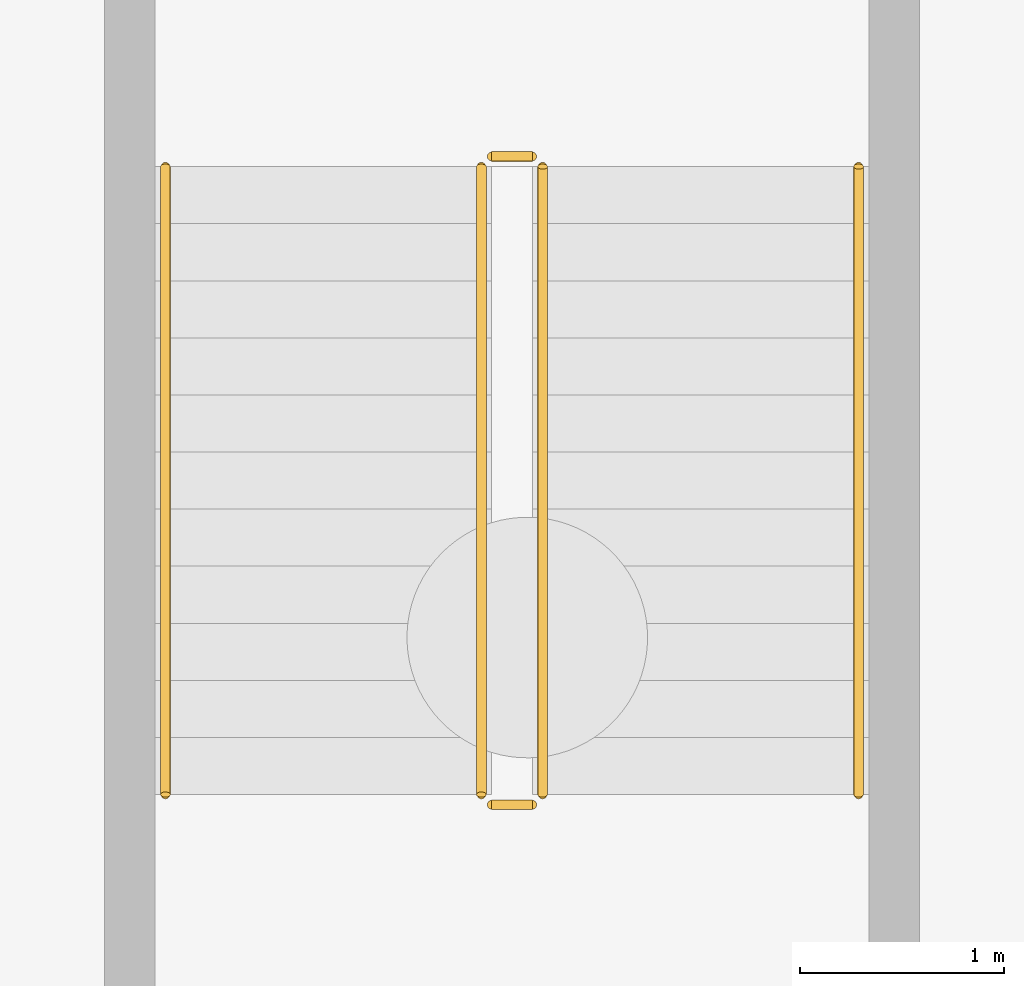
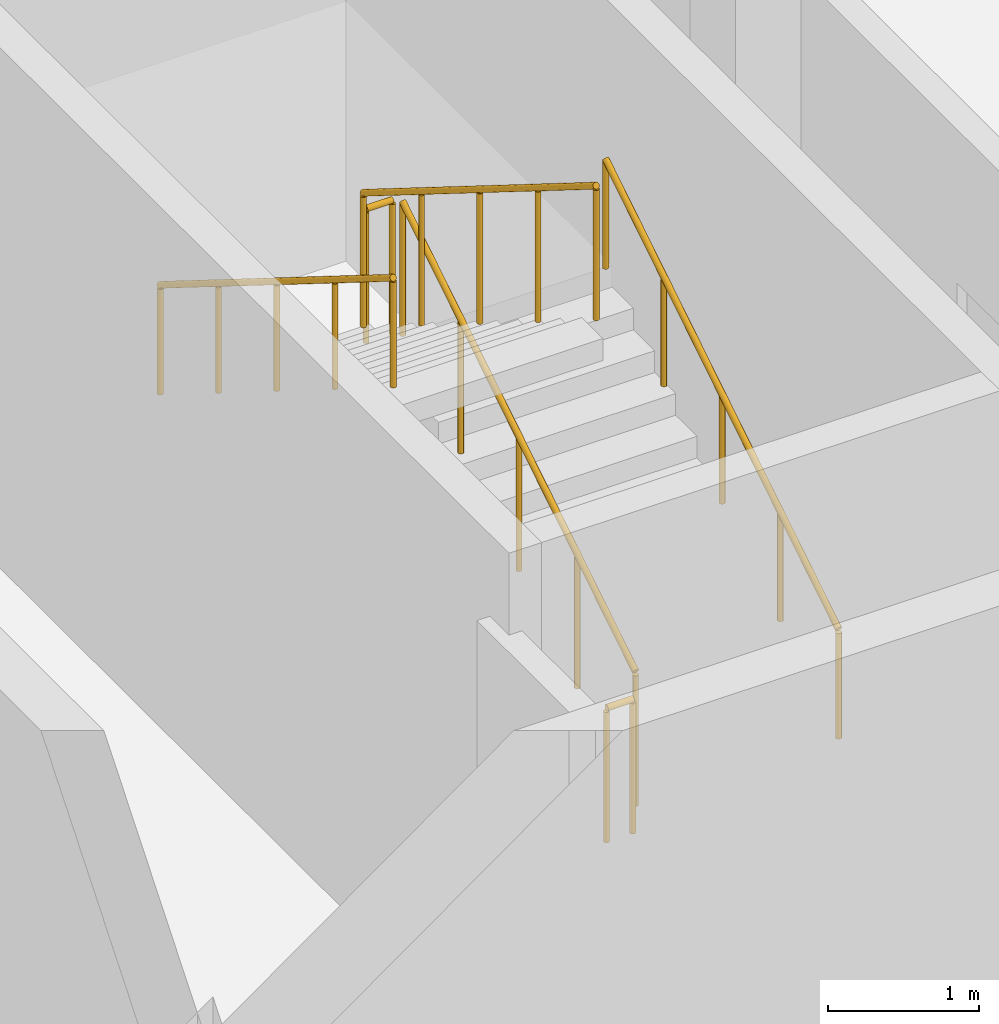
# One storey, part 19 of 22: 6 railings.
"""IFC4 building model written with IfcOpenShell, lengths in metres."""

import ifcopenshell
import ifcopenshell.guid

model = None  # the IFC model being written
_history = None  # IfcOwnerHistory: only IFC2X3 demands one
_inside = {}  # id of a spatial element -> (the spatial element, [elements in it])
_under = {}  # id of a project, library or spatial element -> (it, [spatial elements below it])
_declared = {}  # id of a project -> (the project, [libraries it declares])
_typed = {}  # id of a type object -> (the type object, [elements of that type])
_made_of = {}  # id of a material, layer set ... -> (it, [elements and type objects made of it])


def new_model(schema):
    """Start an empty IFC model of exactly this schema.

    Asked for "IFC4X3", IfcOpenShell would pick the latest addendum, in which some entities
    have other attributes; the version numbers below select the first issue.
    IFC2X3 requires an IfcOwnerHistory on every rooted entity: one is made here for all.
    """
    global model, _history
    if schema == "IFC4X3":
        model = ifcopenshell.file(schema_version=(4, 3, 0, 0))
    else:
        model = ifcopenshell.file(schema=schema)
    _inside.clear()
    _under.clear()
    _declared.clear()
    _typed.clear()
    _made_of.clear()
    _history = None
    if model.schema == "IFC2X3":
        org = make("IfcOrganization", Name="unknown")
        user = make(
            "IfcPersonAndOrganization",
            ThePerson=make("IfcPerson", FamilyName="unknown"),
            TheOrganization=org,
        )
        app = make(
            "IfcApplication",
            ApplicationDeveloper=org,
            Version="unknown",
            ApplicationFullName="unknown",
            ApplicationIdentifier="unknown",
        )
        _history = make(
            "IfcOwnerHistory",
            OwningUser=user,
            OwningApplication=app,
            ChangeAction="ADDED",
            CreationDate=0,
        )
    return model


def make(cls, **values):
    """One entity of the class cls with the attributes given. An attribute that is None is left unset."""
    return model.create_entity(
        cls, **{name: value for name, value in values.items() if value is not None}
    )


def rooted(cls, **values):
    """An entity with a GlobalId (a new one), such as an element, a storey or a relation."""
    return make(cls, GlobalId=ifcopenshell.guid.new(), OwnerHistory=_history, **values)


def si_unit(unit_type, name, prefix=None):
    """IfcSIUnit, for example si_unit("LENGTHUNIT", "METRE", prefix="MILLI")."""
    return make("IfcSIUnit", UnitType=unit_type, Prefix=prefix, Name=name)


def assignment(units):
    """IfcUnitAssignment: the units of a project."""
    return None if units is None else make("IfcUnitAssignment", Units=units)


def point(xyz):
    """IfcCartesianPoint."""
    return None if xyz is None else make("IfcCartesianPoint", Coordinates=xyz)


def direction(xyz):
    """IfcDirection."""
    return None if xyz is None else make("IfcDirection", DirectionRatios=xyz)


def frame(location, z_axis=None, x_axis=None):
    """IfcAxis2Placement3D, a coordinate frame: its origin and axes. An axis left out is left unset."""
    return make(
        "IfcAxis2Placement3D",
        Location=point(location),
        Axis=direction(z_axis),
        RefDirection=direction(x_axis),
    )


def frame_2d(location, x_axis=None):
    """IfcAxis2Placement2D, a coordinate frame in the plane: its origin and x axis."""
    return make(
        "IfcAxis2Placement2D", Location=point(location), RefDirection=direction(x_axis)
    )


def origin():
    """The frame at (0, 0, 0) with its axes left unset."""
    return frame((0.0, 0.0, 0.0))


def origin_2d():
    """The frame at (0, 0) in the plane with its x axis left unset."""
    return frame_2d((0.0, 0.0))


def place(relative_to, where):
    """IfcLocalPlacement: puts the frame where relative to a parent placement (None: the world)."""
    return make(
        "IfcLocalPlacement", PlacementRelTo=relative_to, RelativePlacement=where
    )


def context(
    kind, dimensions, precision=None, world=None, true_north=None, identifier=None
):
    """IfcGeometricRepresentationContext, for example the 3D "Model" context."""
    return make(
        "IfcGeometricRepresentationContext",
        ContextIdentifier=identifier,
        ContextType=kind,
        CoordinateSpaceDimension=dimensions,
        Precision=precision,
        WorldCoordinateSystem=world,
        TrueNorth=true_north,
    )


def subcontext(parent, identifier, kind, view, scale=None):
    """IfcGeometricRepresentationSubContext, for example "Body" below "Model"."""
    return make(
        "IfcGeometricRepresentationSubContext",
        ContextIdentifier=identifier,
        ContextType=kind,
        ParentContext=parent,
        TargetScale=scale,
        TargetView=view,
    )


def project(units=None, contexts=None):
    """IfcProject with its units and contexts."""
    return rooted(
        "IfcProject",
        Name="project",
        RepresentationContexts=contexts,
        UnitsInContext=assignment(units),
    )


def spatial(cls, under=None, at=None, **own):
    """A site, building, storey or space (cls), placed at a placement, below another one or the project."""
    s = rooted(cls, ObjectPlacement=at, **own)
    if under is not None:
        _under.setdefault(under.id(), (under, []))[1].append(s)
    return s


def profile(cls, at=None, kind="AREA", **sizes):
    """A parametric profile (cls). Its sizes go by their IFC names, for example OverallWidth=200.0."""
    return make(cls, ProfileType=kind, Position=at, **sizes)


def circle(**sizes):
    """IfcCircleProfileDef."""
    return profile("IfcCircleProfileDef", **sizes)


def extrude(swept, where, along, depth):
    """IfcExtrudedAreaSolid: the profile swept, set in the frame where, extruded along a direction by depth."""
    return make(
        "IfcExtrudedAreaSolid",
        SweptArea=swept,
        Position=where,
        ExtrudedDirection=direction(along),
        Depth=depth,
    )


def shape(context_of_items, identifier, shape_type, items):
    """IfcShapeRepresentation: the items that make up one representation, for example the "Body"."""
    return make(
        "IfcShapeRepresentation",
        ContextOfItems=context_of_items,
        RepresentationIdentifier=identifier,
        RepresentationType=shape_type,
        Items=items,
    )


def material(Name=None, Category=None):
    """IfcMaterial."""
    return make("IfcMaterial", Name=Name, Category=Category)


def made_of(thing, what):
    """Note that an element or type object is made of a material, layer set ...; save() writes the relation."""
    if what is not None:
        _made_of.setdefault(what.id(), (what, []))[1].append(thing)
    return thing


def type_object(cls, material=None, **own):
    """A type object (cls), such as IfcWallType, which elements share."""
    return made_of(rooted(cls, **own), material)


def element(
    cls,
    number,
    at=None,
    inside=None,
    cuts=None,
    type_object=None,
    material=None,
    context=None,
    identifier="Body",
    shape_type=None,
    held_by="IfcProductDefinitionShape",
    body=None,
    shapes=None,
    **own,
):
    """One element of the class cls, such as IfcWall. Its Tag is "e" and its number.

    at: its placement. inside: the storey or other place that contains it. cuts: it is an
    opening in that element (IfcRelVoidsElement). A single representation is given by context,
    identifier, shape_type and body (its items); several are given by shapes. held_by: the class
    of the entity that holds the representations. save() writes the other relations.
    """
    e = rooted(cls, Tag="e%d" % number, ObjectPlacement=at, **own)
    if body is not None:
        shapes = [shape(context, identifier, shape_type, body)]
    if shapes is not None:
        e.Representation = make(held_by, Representations=shapes)
    if inside is not None:
        _inside.setdefault(inside.id(), (inside, []))[1].append(e)
    if cuts is not None:
        rooted(
            "IfcRelVoidsElement", RelatingBuildingElement=cuts, RelatedOpeningElement=e
        )
    if type_object is not None:
        _typed.setdefault(type_object.id(), (type_object, []))[1].append(e)
    return made_of(e, material)


def aggregate(whole, parts):
    """IfcRelAggregates: a whole, such as a stair, and the parts it consists of."""
    return rooted("IfcRelAggregates", RelatingObject=whole, RelatedObjects=parts)


def save(model, path):
    """Write the relations noted so far, then the file.

    IfcRelAggregates (storeys below a building ...), IfcRelContainedInSpatialStructure (elements
    in a storey), IfcRelDefinesByType, IfcRelAssociatesMaterial and IfcRelDeclares: one each for
    every whole, place, type object, material and project.
    """
    for whole, parts in _under.values():
        aggregate(whole, parts)
    for where, things in _inside.values():
        rooted(
            "IfcRelContainedInSpatialStructure",
            RelatedElements=things,
            RelatingStructure=where,
        )
    for kind, things in _typed.values():
        rooted("IfcRelDefinesByType", RelatedObjects=things, RelatingType=kind)
    for what, things in _made_of.values():
        rooted("IfcRelAssociatesMaterial", RelatedObjects=things, RelatingMaterial=what)
    for by, libraries in _declared.values():
        rooted("IfcRelDeclares", RelatingContext=by, RelatedDefinitions=libraries)
    model.write(path)


model = new_model("IFC4")

# Units and contexts
model_context = context("Model", 3, precision=1e-05, world=origin(), true_north=direction((0.0, 1.0)))
body_context = subcontext(model_context, "Body", "Model", "MODEL_VIEW")
ifc_project = project(units=[si_unit("LENGTHUNIT", "METRE"), si_unit("AREAUNIT", "SQUARE_METRE"), si_unit("VOLUMEUNIT", "CUBIC_METRE"), si_unit("PLANEANGLEUNIT", "RADIAN"), si_unit("MASSUNIT", "GRAM", prefix="KILO")], contexts=[model_context])

# Site, building, storey
site_placement = place(None, origin())
site = spatial("IfcSite", under=ifc_project, at=site_placement, CompositionType="ELEMENT")
building_placement = place(site_placement, origin())
building = spatial("IfcBuilding", under=site, at=building_placement, Name="Kahlenmark Community Centre", CompositionType="ELEMENT")
storey_placement = place(building_placement, frame((0.0, 0.0, -4.199951171875)))
storey = spatial("IfcBuildingStorey", under=building, at=storey_placement, Name="B1", CompositionType="ELEMENT", Elevation=-4.199951171875)

# Railings
ifc_material_1 = material(Name="Brushed stainless steel 1.4301 handrail", Category="steel")
railing_type_1 = type_object("IfcRailingType", Name="RLT-HR-900", PredefinedType="HANDRAIL", material=ifc_material_1)
railing_1_placement = place(storey_placement, frame((10.75, 12.0, 0.175048828125)))
element("IfcRailing", 1, at=railing_1_placement, inside=storey, type_object=railing_type_1, Name="B1 ST-01 stair handrail 1", PredefinedType="HANDRAIL", context=body_context, shape_type="SweptSolid", body=[
    extrude(circle(Radius=0.02392578125, at=origin_2d()), frame((0.0, 0.0, 0.8759765625), z_axis=(0.0, 0.848028513186, 0.529950602248), x_axis=(-1.0, 0.0, 0.0)), (0.0, 0.0, 1.0), 3.632080078125),
    extrude(circle(Radius=0.02099609375, at=origin_2d()), origin(), (0.0, 0.0, 1.0), 0.851806640625),
    extrude(circle(Radius=0.02099609375, at=origin_2d()), frame((0.0, 0.77001953125, 0.481201171875)), (0.0, 0.0, 1.0), 0.851806640625),
    extrude(circle(Radius=0.02099609375, at=origin_2d()), frame((0.0, 1.5400390625, 0.96240234375)), (0.0, 0.0, 1.0), 0.851806640625),
    extrude(circle(Radius=0.02099609375, at=origin_2d()), frame((0.0, 2.31005859375, 1.443603515625)), (0.0, 0.0, 1.0), 0.851806640625),
    extrude(circle(Radius=0.02099609375, at=origin_2d()), frame((0.0, 3.080078125, 1.9248046875)), (0.0, 0.0, 1.0), 0.851806640625),
])
railing_2_placement = place(storey_placement, frame((7.35009765625, 15.080078125, 2.27490234375)))
element("IfcRailing", 2, at=railing_2_placement, inside=storey, type_object=railing_type_1, Name="B1 ST-01 stair handrail 2", PredefinedType="HANDRAIL", context=body_context, shape_type="SweptSolid", body=[
    extrude(circle(Radius=0.02392578125, at=origin_2d()), frame((0.0, 0.0, 0.8759765625), z_axis=(0.0, -0.847998304005, 0.529998940003), x_axis=(1.0, 0.0, 0.0)), (0.0, 0.0, 1.0), 3.632080078125),
    extrude(circle(Radius=0.02099609375, at=origin_2d()), origin(), (0.0, 0.0, 1.0), 0.851806640625),
    extrude(circle(Radius=0.02099609375, at=origin_2d()), frame((0.0, -0.77001953125, 0.481201171875)), (0.0, 0.0, 1.0), 0.851806640625),
    extrude(circle(Radius=0.02099609375, at=origin_2d()), frame((0.0, -1.5400390625, 0.96240234375)), (0.0, 0.0, 1.0), 0.851806640625),
    extrude(circle(Radius=0.02099609375, at=origin_2d()), frame((0.0, -2.31005859375, 1.44384765625)), (0.0, 0.0, 1.0), 0.851806640625),
    extrude(circle(Radius=0.02099609375, at=origin_2d()), frame((0.0, -3.080078125, 1.925048828125)), (0.0, 0.0, 1.0), 0.851806640625),
])
ifc_material_2 = material(Name="Powder-coated steel stair well guard", Category="steel")
railing_type_2 = type_object("IfcRailingType", Name="RLT-SG-1120", PredefinedType="GUARDRAIL", material=ifc_material_2)
railing_3_placement = place(storey_placement, frame((9.199951171875, 12.0, 0.175048828125)))
element("IfcRailing", 3, at=railing_3_placement, inside=storey, type_object=railing_type_2, Name="B1 ST-01 stair guard 1", PredefinedType="GUARDRAIL", context=body_context, shape_type="SweptSolid", body=[
    extrude(circle(Radius=0.02392578125, at=origin_2d()), frame((0.0, 0.0, 1.076171875), z_axis=(0.0, 0.848028513186, 0.529950602248), x_axis=(-1.0, 0.0, 0.0)), (0.0, 0.0, 1.0), 3.632080078125),
    extrude(circle(Radius=0.02099609375, at=origin_2d()), origin(), (0.0, 0.0, 1.0), 1.052001953125),
    extrude(circle(Radius=0.02099609375, at=origin_2d()), frame((0.0, 0.77001953125, 0.481201171875)), (0.0, 0.0, 1.0), 1.052001953125),
    extrude(circle(Radius=0.02099609375, at=origin_2d()), frame((0.0, 1.5400390625, 0.96240234375)), (0.0, 0.0, 1.0), 1.052001953125),
    extrude(circle(Radius=0.02099609375, at=origin_2d()), frame((0.0, 2.31005859375, 1.443603515625)), (0.0, 0.0, 1.0), 1.052001953125),
    extrude(circle(Radius=0.02099609375, at=origin_2d()), frame((0.0, 3.080078125, 1.9248046875)), (0.0, 0.0, 1.0), 1.052001953125),
])
railing_4_placement = place(storey_placement, frame((9.14990234375, 15.1298828125, 2.099853515625)))
element("IfcRailing", 4, at=railing_4_placement, inside=storey, type_object=railing_type_2, Name="B1 ST-01 stair guard 2", PredefinedType="GUARDRAIL", context=body_context, shape_type="SweptSolid", body=[
    extrude(circle(Radius=0.02392578125, at=origin_2d()), frame((0.0, 0.0, 1.076171875), z_axis=(-1.0, 0.0, 0.0), x_axis=(0.0, -1.0, 0.0)), (0.0, 0.0, 1.0), 0.199951171875),
    extrude(circle(Radius=0.02099609375, at=origin_2d()), origin(), (0.0, 0.0, 1.0), 1.052001953125),
    extrude(circle(Radius=0.02099609375, at=origin_2d()), frame((-0.199951171875, 0.0, 0.0)), (0.0, 0.0, 1.0), 1.052001953125),
])
railing_5_placement = place(storey_placement, frame((8.89990234375, 15.080078125, 2.27490234375)))
element("IfcRailing", 5, at=railing_5_placement, inside=storey, type_object=railing_type_2, Name="B1 ST-01 stair guard 3", PredefinedType="GUARDRAIL", context=body_context, shape_type="SweptSolid", body=[
    extrude(circle(Radius=0.02392578125, at=origin_2d()), frame((0.0, 0.0, 1.076171875), z_axis=(0.0, -0.847998304005, 0.529998940003), x_axis=(1.0, 0.0, 0.0)), (0.0, 0.0, 1.0), 3.632080078125),
    extrude(circle(Radius=0.02099609375, at=origin_2d()), origin(), (0.0, 0.0, 1.0), 1.052001953125),
    extrude(circle(Radius=0.02099609375, at=origin_2d()), frame((0.0, -0.77001953125, 0.481201171875)), (0.0, 0.0, 1.0), 1.052001953125),
    extrude(circle(Radius=0.02099609375, at=origin_2d()), frame((0.0, -1.5400390625, 0.96240234375)), (0.0, 0.0, 1.0), 1.052001953125),
    extrude(circle(Radius=0.02099609375, at=origin_2d()), frame((0.0, -2.31005859375, 1.44384765625)), (0.0, 0.0, 1.0), 1.052001953125),
    extrude(circle(Radius=0.02099609375, at=origin_2d()), frame((0.0, -3.080078125, 1.925048828125)), (0.0, 0.0, 1.0), 1.052001953125),
])
railing_6_placement = place(storey_placement, frame((9.14990234375, 11.949951171875, 0.0)))
element("IfcRailing", 6, at=railing_6_placement, inside=storey, type_object=railing_type_2, Name="B1 ST-01 stair guard 4", PredefinedType="GUARDRAIL", context=body_context, shape_type="SweptSolid", body=[
    extrude(circle(Radius=0.02392578125, at=origin_2d()), frame((0.0, 0.0, 1.076171875), z_axis=(-1.0, 0.0, 0.0), x_axis=(0.0, -1.0, 0.0)), (0.0, 0.0, 1.0), 0.199951171875),
    extrude(circle(Radius=0.02099609375, at=origin_2d()), origin(), (0.0, 0.0, 1.0), 1.052001953125),
    extrude(circle(Radius=0.02099609375, at=origin_2d()), frame((-0.199951171875, 0.0, 0.0)), (0.0, 0.0, 1.0), 1.052001953125),
])

save(model, "model.ifc")
